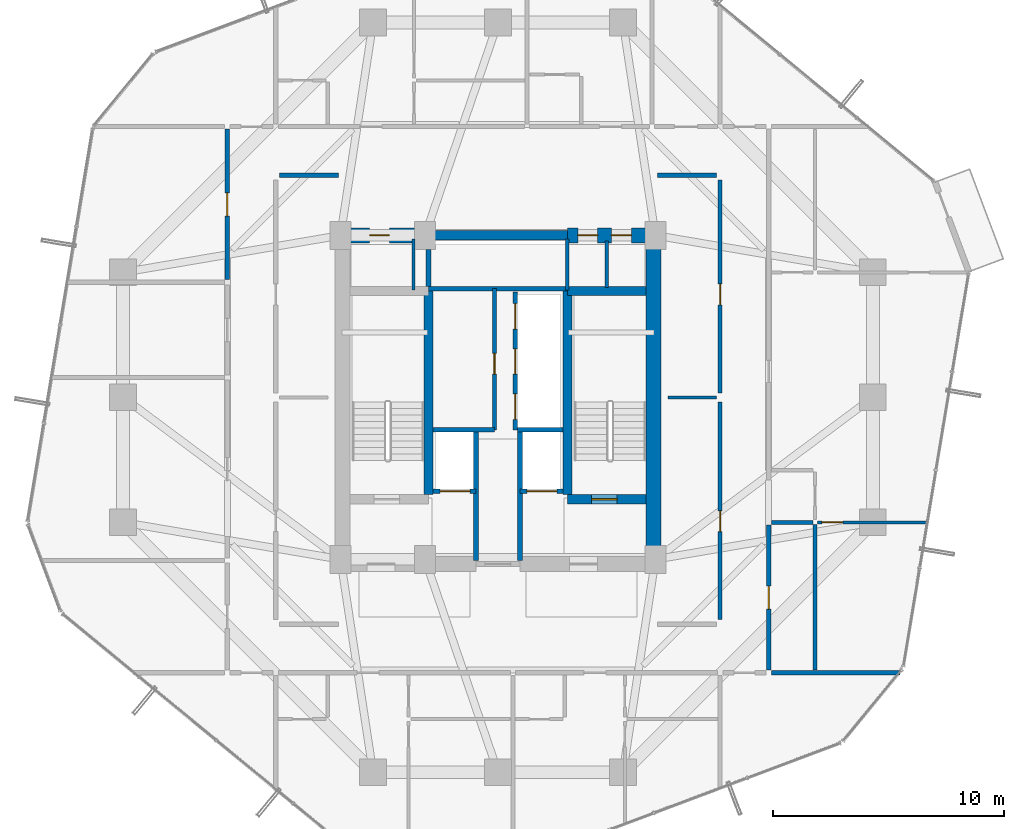
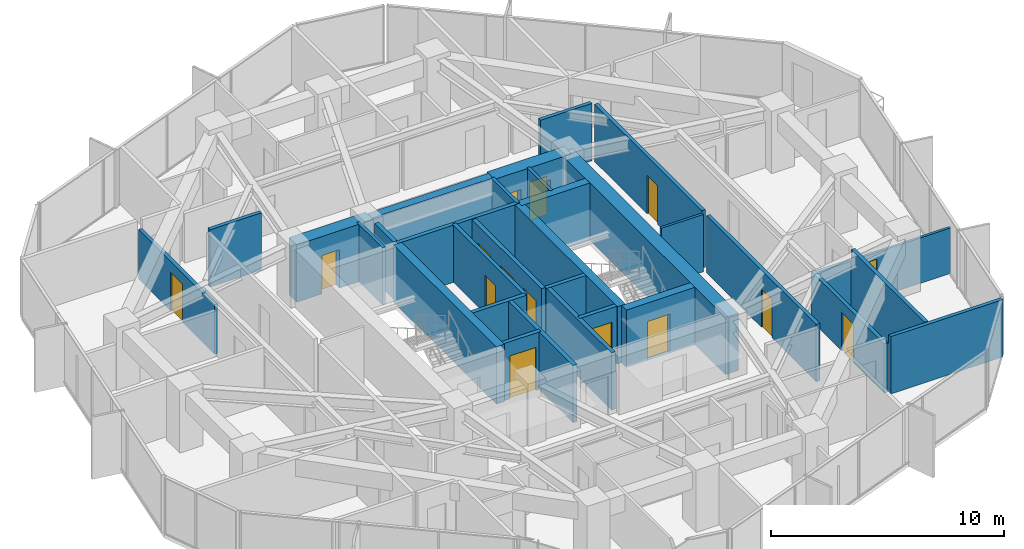
# One storey, part 26 of 30: 32 walls, 15 doors, 15 openings.
"""IFC4 building model written with IfcOpenShell, lengths in metres."""

from ifc_helpers import new_model, si_unit, direction, frame, frame_2d, origin, place, context, subcontext, project, spatial, rectangle, extrude, source, transform, mapped, material, layer, layer_set, type_object, element, fill, save


model = new_model("IFC4")

# Units and contexts
model_context = context("Model", 3, precision=1e-05, world=origin(), true_north=direction((0.0, 1.0)))
body_context = subcontext(model_context, "Body", "Model", "MODEL_VIEW")
ifc_project = project(units=[si_unit("LENGTHUNIT", "METRE"), si_unit("AREAUNIT", "SQUARE_METRE"), si_unit("VOLUMEUNIT", "CUBIC_METRE"), si_unit("PLANEANGLEUNIT", "RADIAN"), si_unit("MASSUNIT", "GRAM", prefix="KILO")], contexts=[model_context])

# Site, building, storey
site_placement = place(None, origin())
site = spatial("IfcSite", under=ifc_project, at=site_placement, CompositionType="ELEMENT")
building_placement = place(site_placement, origin())
building = spatial("IfcBuilding", under=site, at=building_placement, Name="Veraguas Prism Commons", CompositionType="ELEMENT")
storey_placement = place(building_placement, frame((0.0, 0.0, 95.949951171875)))
storey = spatial("IfcBuildingStorey", under=building, at=storey_placement, Name="L26", CompositionType="ELEMENT", Elevation=95.949951171875)

# Wall
ifc_material_1 = material(Name="Concrete C50/60", Category="concrete")
ifc_layer_1 = layer(ifc_material_1, 0.39990234375, Name="Clinic and Mid Core Shear Wall RC 400", Category="concrete")
ifc_layer_set_1 = layer_set([ifc_layer_1], Name="Concrete C50/60")
wall_type_1 = type_object("IfcWallType", Name="Clinic and Mid Core Shear Wall RC 400", PredefinedType="SHEAR", material=ifc_layer_set_1)
wall_1_placement = place(storey_placement, frame((21.0, 31.0, 0.0), z_axis=(0.0, 0.0, 1.0), x_axis=(1.0, 0.0, 0.0)))
element("IfcWall", 1, at=wall_1_placement, inside=storey, type_object=wall_type_1, Name="High-Rise Lift Bank Front Shear Wall L26", PredefinedType="SHEAR", context=body_context, shape_type="SweptSolid", body=[
    extrude(rectangle(XDim=6.0, YDim=0.39990234375, at=frame_2d((3.0, 0.0))), origin(), (0.0, 0.0, 1.0), 3.0),
])

# Wall, opening, door
wall_2_placement = place(storey_placement, frame((27.0, 19.60009765625, 0.0), z_axis=(0.0, 0.0, 1.0), x_axis=(1.0, 0.0, 0.0)))
wall_2 = element("IfcWall", 2, at=wall_2_placement, inside=storey, type_object=wall_type_1, Name="Stair ST-02 South Shear Wall L26", PredefinedType="SHEAR", context=body_context, shape_type="SweptSolid", body=[
    extrude(rectangle(XDim=3.39990234375, YDim=0.39990234375, at=frame_2d((1.699951171875, 0.0))), origin(), (0.0, 0.0, 1.0), 3.0),
])
opening_1_placement = place(wall_2_placement, frame((1.050048828125, 0.0, 0.0)))
opening_1 = element("IfcOpeningElement", 3, at=opening_1_placement, cuts=wall_2, Name="Opening DR-05", PredefinedType="OPENING", context=body_context, shape_type="SweptSolid", body=[
    extrude(rectangle(XDim=1.10009765625, YDim=2.030029296875, at=frame_2d((0.550048828125, 1.01513671875))), frame((0.0, 0.2099609375, 0.0), z_axis=(0.0, -1.0, 0.0), x_axis=(1.0, 0.0, 0.0)), (0.0, 0.0, 1.0), 0.419921875),
])
ifc_material_2 = material(Name="Steel fire-rated door assembly", Category="steel")
door_type_1 = type_object("IfcDoorType", Name="Protected Stair and Refuge Fire Door 1100x2030", OperationType="NOTDEFINED", PredefinedType="DOOR", material=ifc_material_2)
shared_shape_1 = source(origin(), body_context, "Body", "SweptSolid", [
    extrude(rectangle(XDim=1.10009765625, YDim=2.030029296875, at=frame_2d((0.550048828125, 1.01513671875))), frame((0.0, 0.02490234375, 0.0), z_axis=(0.0, -1.0, 0.0), x_axis=(1.0, 0.0, 0.0)), (0.0, 0.0, 1.0), 0.050048828125),
])
door_1_placement = place(opening_1_placement, origin())
door_1 = element("IfcDoor", 4, at=door_1_placement, inside=storey, type_object=door_type_1, Name="Stair ST-02 Enclosure Door L26", OperationType="SINGLE_SWING_RIGHT", OverallHeight=2.030029296875, OverallWidth=1.10009765625, PredefinedType="DOOR", context=body_context, shape_type="MappedRepresentation", body=[
    mapped(shared_shape_1, transform((0.0, 0.0, 0.0), scale=1.0)),
])
fill(opening_1, door_1)

# Walls
for number, where, z_axis, x_axis, name in (
    (5, (21.0, 19.800048828125, 0.0), (0.0, 0.0, 1.0), (0.0, 1.0, 0.0), "Stair ST-01 Inner Shear Wall L26"),
    (6, (27.0, 19.800048828125, 0.0), (0.0, 0.0, 1.0), (0.0, 1.0, 0.0), "Stair ST-02 Inner Shear Wall L26"),
):
    element("IfcWall", number, at=place(storey_placement, frame(where, z_axis=z_axis, x_axis=x_axis)), inside=storey, type_object=wall_type_1, Name=name, PredefinedType="SHEAR", context=body_context, shape_type="SweptSolid", body=[
        extrude(rectangle(XDim=8.800048828125, YDim=0.39990234375, at=frame_2d((4.39990234375, 0.0))), origin(), (0.0, 0.0, 1.0), 3.0),
    ])
wall_3_placement = place(storey_placement, frame((27.0, 28.60009765625, 0.0), z_axis=(0.0, 0.0, 1.0), x_axis=(1.0, 0.0, 0.0)))
element("IfcWall", 7, at=wall_3_placement, inside=storey, type_object=wall_type_1, Name="Stair ST-02 North Shear Wall L26", PredefinedType="SHEAR", context=body_context, shape_type="SweptSolid", body=[
    extrude(rectangle(XDim=3.39990234375, YDim=0.39990234375, at=frame_2d((1.699951171875, 0.0))), origin(), (0.0, 0.0, 1.0), 3.0),
])
ifc_material_3 = material(Name="Concrete C55/67", Category="concrete")
ifc_layer_2 = layer(ifc_material_3, 0.64990234375, Name="Core Outer Shear Wall Mid RC 650", Category="concrete")
ifc_layer_set_2 = layer_set([ifc_layer_2], Name="Concrete C55/67")
wall_type_2 = type_object("IfcWallType", Name="Core Outer Shear Wall Mid RC 650", PredefinedType="SHEAR", material=ifc_layer_set_2)
wall_4_placement = place(storey_placement, frame((30.72509765625, 16.800048828125, 0.0), z_axis=(0.0, 0.0, 1.0), x_axis=(0.0, 1.0, 0.0)))
element("IfcWall", 8, at=wall_4_placement, inside=storey, type_object=wall_type_2, Name="Central Core East Shear Wall L26", PredefinedType="SHEAR", context=body_context, shape_type="SweptSolid", body=[
    extrude(rectangle(XDim=14.199951171875, YDim=0.64990234375, at=frame_2d((7.10009765625, 0.0))), origin(), (0.0, 0.0, 1.0), 3.0),
])

# Wall, opening, door
wall_5_placement = place(storey_placement, frame((17.199951171875, 31.0, 0.0), z_axis=(0.0, 0.0, 1.0), x_axis=(1.0, 0.0, 0.0)))
wall_5 = element("IfcWall", 9, at=wall_5_placement, inside=storey, type_object=wall_type_2, Name="Central Core North-West Shear Wall L26", PredefinedType="SHEAR", context=body_context, shape_type="SweptSolid", body=[
    extrude(rectangle(XDim=3.800048828125, YDim=0.64990234375, at=frame_2d((1.89990234375, 0.0))), origin(), (0.0, 0.0, 1.0), 3.0),
])
opening_2_placement = place(wall_5_placement, frame((1.25, 0.0, 0.0)))
opening_2 = element("IfcOpeningElement", 10, at=opening_2_placement, cuts=wall_5, Name="Opening DR-12", PredefinedType="OPENING", context=body_context, shape_type="SweptSolid", body=[
    extrude(rectangle(XDim=0.860107421875, YDim=2.010009765625, at=frame_2d((0.43017578125, 1.0048828125))), frame((0.0, 0.3349609375, 0.0), z_axis=(0.0, -1.0, 0.0), x_axis=(1.0, 0.0, 0.0)), (0.0, 0.0, 1.0), 0.669921875),
])
door_type_2 = type_object("IfcDoorType", Name="Core WC Fire Door 860x2010", OperationType="NOTDEFINED", PredefinedType="DOOR", material=ifc_material_2)
shared_shape_2 = source(origin(), body_context, "Body", "SweptSolid", [
    extrude(rectangle(XDim=0.860107421875, YDim=2.010009765625, at=frame_2d((0.43017578125, 1.0048828125))), frame((0.0, 0.02490234375, 0.0), z_axis=(0.0, -1.0, 0.0), x_axis=(1.0, 0.0, 0.0)), (0.0, 0.0, 1.0), 0.050048828125),
])
door_2_placement = place(opening_2_placement, origin())
door_2 = element("IfcDoor", 11, at=door_2_placement, inside=storey, type_object=door_type_2, Name="Core NW Service Door L26", OperationType="SINGLE_SWING_RIGHT", OverallHeight=2.010009765625, OverallWidth=0.860107421875, PredefinedType="DOOR", context=body_context, shape_type="MappedRepresentation", body=[
    mapped(shared_shape_2, transform((0.0, 0.0, 0.0), scale=1.0)),
])
fill(opening_2, door_2)

# Wall, openings, doors
wall_6_placement = place(storey_placement, frame((27.0, 31.0, 0.0), z_axis=(0.0, 0.0, 1.0), x_axis=(1.0, 0.0, 0.0)))
wall_6 = element("IfcWall", 12, at=wall_6_placement, inside=storey, type_object=wall_type_2, Name="Central Core North-East Shear Wall L26", PredefinedType="SHEAR", context=body_context, shape_type="SweptSolid", body=[
    extrude(rectangle(XDim=3.800048828125, YDim=0.64990234375, at=frame_2d((1.89990234375, 0.0))), origin(), (0.0, 0.0, 1.0), 3.0),
])
opening_3_placement = place(wall_6_placement, frame((0.449951171875, 0.0, 0.0)))
opening_3 = element("IfcOpeningElement", 13, at=opening_3_placement, cuts=wall_6, Name="Opening DR-12", PredefinedType="OPENING", context=body_context, shape_type="SweptSolid", body=[
    extrude(rectangle(XDim=0.860107421875, YDim=2.010009765625, at=frame_2d((0.43017578125, 1.0048828125))), frame((0.0, 0.3349609375, 0.0), z_axis=(0.0, -1.0, 0.0), x_axis=(1.0, 0.0, 0.0)), (0.0, 0.0, 1.0), 0.669921875),
])
opening_4_placement = place(wall_6_placement, frame((1.89990234375, 0.0, 0.0)))
opening_4 = element("IfcOpeningElement", 14, at=opening_4_placement, cuts=wall_6, Name="Opening DR-12", PredefinedType="OPENING", context=body_context, shape_type="SweptSolid", body=[
    extrude(rectangle(XDim=0.860107421875, YDim=2.010009765625, at=frame_2d((0.43017578125, 1.0048828125))), frame((0.0, 0.3349609375, 0.0), z_axis=(0.0, -1.0, 0.0), x_axis=(1.0, 0.0, 0.0)), (0.0, 0.0, 1.0), 0.669921875),
])
door_3_placement = place(opening_3_placement, origin())
door_3 = element("IfcDoor", 15, at=door_3_placement, inside=storey, type_object=door_type_2, Name="Core NE Room A Door L26", OperationType="SINGLE_SWING_LEFT", OverallHeight=2.010009765625, OverallWidth=0.860107421875, PredefinedType="DOOR", context=body_context, shape_type="MappedRepresentation", body=[
    mapped(shared_shape_2, transform((0.0, 0.0, 0.0), scale=1.0)),
])
fill(opening_3, door_3)
door_4_placement = place(opening_4_placement, origin())
door_4 = element("IfcDoor", 16, at=door_4_placement, inside=storey, type_object=door_type_2, Name="Core NE Room B Door L26", OperationType="SINGLE_SWING_RIGHT", OverallHeight=2.010009765625, OverallWidth=0.860107421875, PredefinedType="DOOR", context=body_context, shape_type="MappedRepresentation", body=[
    mapped(shared_shape_2, transform((0.0, 0.0, 0.0), scale=1.0)),
])
fill(opening_4, door_4)

# Wall, opening, door
ifc_material_4 = material(Name="Autoclaved aerated masonry block 10 MPa", Category="masonry")
ifc_layer_3 = layer(ifc_material_4, 0.179931640625, Name="Corridor and Inter-Tenancy Partition 180", Category="masonry")
ifc_layer_set_3 = layer_set([ifc_layer_3], Name="Autoclaved aerated masonry block 10 MPa")
wall_type_3 = type_object("IfcWallType", Name="Corridor and Inter-Tenancy Partition 180", PredefinedType="PARTITIONING", material=ifc_layer_set_3)
wall_7_placement = place(storey_placement, frame((23.85009765625, 22.60009765625, 0.0), z_axis=(0.0, 0.0, 1.0), x_axis=(0.0, 1.0, 0.0)))
wall_7 = element("IfcWall", 17, at=wall_7_placement, inside=storey, type_object=wall_type_3, Name="Reading Room Partition L26", PredefinedType="PARTITIONING", context=body_context, shape_type="SweptSolid", body=[
    extrude(rectangle(XDim=6.099853515625, YDim=0.179931640625, at=frame_2d((3.0498046875, 0.0))), origin(), (0.0, 0.0, 1.0), 3.0),
])
opening_5_placement = place(wall_7_placement, frame((2.39990234375, 0.0, 0.0)))
opening_5 = element("IfcOpeningElement", 18, at=opening_5_placement, cuts=wall_7, Name="Opening DR-14", PredefinedType="OPENING", context=body_context, shape_type="SweptSolid", body=[
    extrude(rectangle(XDim=0.89990234375, YDim=2.010009765625, at=frame_2d((0.449951171875, 1.0048828125))), frame((0.0, 0.099853515625, 0.0), z_axis=(0.0, -1.0, 0.0), x_axis=(1.0, 0.0, 0.0)), (0.0, 0.0, 1.0), 0.199951171875),
])
door_type_3 = type_object("IfcDoorType", Name="Core Service Room Fire Door 900x2010", OperationType="NOTDEFINED", PredefinedType="DOOR", material=ifc_material_2)
shared_shape_3 = source(origin(), body_context, "Body", "SweptSolid", [
    extrude(rectangle(XDim=0.89990234375, YDim=2.010009765625, at=frame_2d((0.449951171875, 1.0048828125))), frame((0.0, 0.02490234375, 0.0), z_axis=(0.0, -1.0, 0.0), x_axis=(1.0, 0.0, 0.0)), (0.0, 0.0, 1.0), 0.050048828125),
])
door_5_placement = place(opening_5_placement, origin())
door_5 = element("IfcDoor", 19, at=door_5_placement, inside=storey, type_object=door_type_3, Name="Reading Room Door L26", OperationType="SINGLE_SWING_LEFT", OverallHeight=2.010009765625, OverallWidth=0.89990234375, PredefinedType="DOOR", context=body_context, shape_type="MappedRepresentation", body=[
    mapped(shared_shape_3, transform((0.0, 0.0, 0.0), scale=1.0)),
])
fill(opening_5, door_5)

wall_8_placement = place(storey_placement, frame((33.60009765625, 14.39990234375, 0.0), z_axis=(0.0, 0.0, 1.0), x_axis=(0.0, 1.0, 0.0)))
wall_8 = element("IfcWall", 20, at=wall_8_placement, inside=storey, type_object=wall_type_3, Name="WL-L26-IRE1", PredefinedType="PARTITIONING", context=body_context, shape_type="SweptSolid", body=[
    extrude(rectangle(XDim=9.400146484375, YDim=0.179931640625, at=frame_2d((4.7001953125, 0.0))), origin(), (0.0, 0.0, 1.0), 3.0),
])
opening_6_placement = place(wall_8_placement, frame((3.800048828125, 0.0, 0.0)))
opening_6 = element("IfcOpeningElement", 21, at=opening_6_placement, cuts=wall_8, Name="Opening DR-14", PredefinedType="OPENING", context=body_context, shape_type="SweptSolid", body=[
    extrude(rectangle(XDim=0.89990234375, YDim=2.010009765625, at=frame_2d((0.449951171875, 1.0048828125))), frame((0.0, 0.099853515625, 0.0), z_axis=(0.0, -1.0, 0.0), x_axis=(1.0, 0.0, 0.0)), (0.0, 0.0, 1.0), 0.199951171875),
])
door_6_placement = place(opening_6_placement, origin())
door_6 = element("IfcDoor", 22, at=door_6_placement, inside=storey, type_object=door_type_3, Name="Shared Laundry Annex Door L26", OperationType="SINGLE_SWING_RIGHT", OverallHeight=2.010009765625, OverallWidth=0.89990234375, PredefinedType="DOOR", context=body_context, shape_type="MappedRepresentation", body=[
    mapped(shared_shape_3, transform((0.0, 0.0, 0.0), scale=1.0)),
])
fill(opening_6, door_6)

wall_9_placement = place(storey_placement, frame((33.60009765625, 24.199951171875, 0.0), z_axis=(0.0, 0.0, 1.0), x_axis=(0.0, 1.0, 0.0)))
wall_9 = element("IfcWall", 23, at=wall_9_placement, inside=storey, type_object=wall_type_3, Name="WL-L26-IRE2", PredefinedType="PARTITIONING", context=body_context, shape_type="SweptSolid", body=[
    extrude(rectangle(XDim=9.199951171875, YDim=0.179931640625, at=frame_2d((4.60009765625, 0.0))), origin(), (0.0, 0.0, 1.0), 3.0),
])
opening_7_placement = place(wall_9_placement, frame((3.800048828125, 0.0, 0.0)))
opening_7 = element("IfcOpeningElement", 24, at=opening_7_placement, cuts=wall_9, Name="Opening DR-14", PredefinedType="OPENING", context=body_context, shape_type="SweptSolid", body=[
    extrude(rectangle(XDim=0.89990234375, YDim=2.010009765625, at=frame_2d((0.449951171875, 1.0048828125))), frame((0.0, 0.099853515625, 0.0), z_axis=(0.0, -1.0, 0.0), x_axis=(1.0, 0.0, 0.0)), (0.0, 0.0, 1.0), 0.199951171875),
])
door_7_placement = place(opening_7_placement, origin())
door_7 = element("IfcDoor", 25, at=door_7_placement, inside=storey, type_object=door_type_3, Name="Community Reading Alcove Door L26", OperationType="SINGLE_SWING_LEFT", OverallHeight=2.010009765625, OverallWidth=0.89990234375, PredefinedType="DOOR", context=body_context, shape_type="MappedRepresentation", body=[
    mapped(shared_shape_3, transform((0.0, 0.0, 0.0), scale=1.0)),
])
fill(opening_7, door_7)

# Walls
for number, where, z_axis, x_axis, name in (
    (26, (14.550048828125, 33.60009765625, 0.0), (0.0, 0.0, 1.0), (1.0, 0.0, 0.0), "WL-L26-IRWN"),
    (27, (30.89990234375, 33.60009765625, 0.0), (0.0, 0.0, 1.0), (1.0, 0.0, 0.0), "WL-L26-IREN"),
):
    element("IfcWall", number, at=place(storey_placement, frame(where, z_axis=z_axis, x_axis=x_axis)), inside=storey, type_object=wall_type_3, Name=name, PredefinedType="PARTITIONING", context=body_context, shape_type="SweptSolid", body=[
        extrude(rectangle(XDim=2.550048828125, YDim=0.179931640625, at=frame_2d((1.27490234375, 0.0))), origin(), (0.0, 0.0, 1.0), 3.0),
    ])

# Wall, opening, door
wall_10_placement = place(storey_placement, frame((12.300048828125, 29.083984375, 0.0), z_axis=(0.0, 0.0, 1.0), x_axis=(0.0, 1.0, 0.0)))
wall_10 = element("IfcWall", 28, at=wall_10_placement, inside=storey, type_object=wall_type_3, Name="WL-L26-PT037", PredefinedType="PARTITIONING", context=body_context, shape_type="SweptSolid", body=[
    extrude(rectangle(XDim=6.506103515625, YDim=0.179931640625, at=frame_2d((3.2529296875, 0.0))), origin(), (0.0, 0.0, 1.0), 2.580078125),
])
opening_8_placement = place(wall_10_placement, frame((2.7529296875, 0.0, 0.0)))
opening_8 = element("IfcOpeningElement", 29, at=opening_8_placement, cuts=wall_10, Name="Opening DR-13", PredefinedType="OPENING", context=body_context, shape_type="SweptSolid", body=[
    extrude(rectangle(XDim=1.0, YDim=2.010009765625, at=frame_2d((0.5, 1.0048828125))), frame((0.0, 0.099853515625, 0.0), z_axis=(0.0, -1.0, 0.0), x_axis=(1.0, 0.0, 0.0)), (0.0, 0.0, 1.0), 0.199951171875),
])
door_type_4 = type_object("IfcDoorType", Name="Core Accessible WC and Clinic Fire Door 1000x2010", OperationType="NOTDEFINED", PredefinedType="DOOR", material=ifc_material_2)
shared_shape_4 = source(origin(), body_context, "Body", "SweptSolid", [
    extrude(rectangle(XDim=1.0, YDim=2.010009765625, at=frame_2d((0.5, 1.0048828125))), frame((0.0, 0.02490234375, 0.0), z_axis=(0.0, -1.0, 0.0), x_axis=(1.0, 0.0, 0.0)), (0.0, 0.0, 1.0), 0.050048828125),
])
door_8_placement = place(opening_8_placement, origin())
door_8 = element("IfcDoor", 30, at=door_8_placement, inside=storey, type_object=door_type_4, Name="Co-op Store W Door", OperationType="SINGLE_SWING_RIGHT", OverallHeight=2.010009765625, OverallWidth=1.0, PredefinedType="DOOR", context=body_context, shape_type="MappedRepresentation", body=[
    mapped(shared_shape_4, transform((0.0, 0.0, 0.0), scale=1.0)),
])
fill(opening_8, door_8)

# Wall
wall_11_placement = place(storey_placement, frame((35.820068359375, 12.10009765625, 0.0), z_axis=(0.0, 0.0, 1.0), x_axis=(1.0, 0.0, 0.0)))
element("IfcWall", 31, at=wall_11_placement, inside=storey, type_object=wall_type_3, Name="WL-L26-PT039", PredefinedType="PARTITIONING", context=body_context, shape_type="SweptSolid", body=[
    extrude(rectangle(XDim=5.557861328125, YDim=0.179931640625, at=frame_2d((2.77880859375, 0.0))), origin(), (0.0, 0.0, 1.0), 3.0),
])

# Wall, opening, door
wall_12_placement = place(storey_placement, frame((35.699951171875, 12.2099609375, 0.0), z_axis=(0.0, 0.0, 1.0), x_axis=(0.0, 1.0, 0.0)))
wall_12 = element("IfcWall", 32, at=wall_12_placement, inside=storey, type_object=wall_type_3, Name="WL-L26-PT041", PredefinedType="PARTITIONING", context=body_context, shape_type="SweptSolid", body=[
    extrude(rectangle(XDim=6.280029296875, YDim=0.179931640625, at=frame_2d((3.14013671875, 0.0))), origin(), (0.0, 0.0, 1.0), 2.580078125),
])
opening_9_placement = place(wall_12_placement, frame((2.639892578125, 0.0, 0.0)))
opening_9 = element("IfcOpeningElement", 33, at=opening_9_placement, cuts=wall_12, Name="Opening DR-13", PredefinedType="OPENING", context=body_context, shape_type="SweptSolid", body=[
    extrude(rectangle(XDim=1.0, YDim=2.010009765625, at=frame_2d((0.5, 1.0048828125))), frame((0.0, 0.099853515625, 0.0), z_axis=(0.0, -1.0, 0.0), x_axis=(1.0, 0.0, 0.0)), (0.0, 0.0, 1.0), 0.199951171875),
])
door_9_placement = place(opening_9_placement, origin())
door_9 = element("IfcDoor", 34, at=door_9_placement, inside=storey, type_object=door_type_4, Name="Residents Study Alcove 26E Door", OperationType="SINGLE_SWING_LEFT", OverallHeight=2.010009765625, OverallWidth=1.0, PredefinedType="DOOR", context=body_context, shape_type="MappedRepresentation", body=[
    mapped(shared_shape_4, transform((0.0, 0.0, 0.0), scale=1.0)),
])
fill(opening_9, door_9)

# Walls
wall_13_placement = place(storey_placement, frame((37.699951171875, 12.219970703125, 0.0), z_axis=(0.0, 0.0, 1.0), x_axis=(0.0, 1.0, 0.0)))
element("IfcWall", 35, at=wall_13_placement, inside=storey, type_object=wall_type_3, Name="WL-L26-PT043", PredefinedType="PARTITIONING", context=body_context, shape_type="SweptSolid", body=[
    extrude(rectangle(XDim=6.280029296875, YDim=0.179931640625, at=frame_2d((3.14013671875, 0.0))), origin(), (0.0, 0.0, 1.0), 3.0),
])
wall_14_placement = place(storey_placement, frame((35.820068359375, 18.60009765625, 0.0), z_axis=(0.0, 0.0, 1.0), x_axis=(1.0, 0.0, 0.0)))
element("IfcWall", 36, at=wall_14_placement, inside=storey, type_object=wall_type_3, Name="WL-L26-PT044", PredefinedType="PARTITIONING", context=body_context, shape_type="SweptSolid", body=[
    extrude(rectangle(XDim=1.800048828125, YDim=0.179931640625, at=frame_2d((0.89990234375, 0.0))), origin(), (0.0, 0.0, 1.0), 2.3779296875),
])
ifc_material_5 = material(Name="Lightweight acoustic gypsum board")
ifc_layer_4 = layer(ifc_material_5, 0.125, Name="Internal Apartment Room Partition 125")
ifc_layer_set_4 = layer_set([ifc_layer_4], Name="Lightweight acoustic gypsum board")
wall_type_4 = type_object("IfcWallType", Name="Internal Apartment Room Partition 125", PredefinedType="PARTITIONING", material=ifc_layer_set_4)
wall_15_placement = place(storey_placement, frame((31.35009765625, 24.0, 0.0), z_axis=(0.0, 0.0, 1.0), x_axis=(1.0, 0.0, 0.0)))
element("IfcWall", 37, at=wall_15_placement, inside=storey, type_object=wall_type_4, Name="WL-L26-IREM", PredefinedType="PARTITIONING", context=body_context, shape_type="SweptSolid", body=[
    extrude(rectangle(XDim=2.099853515625, YDim=0.125, at=frame_2d((1.0498046875, 0.0))), origin(), (0.0, 0.0, 1.0), 3.0),
])

# Wall, opening, door
wall_16_placement = place(storey_placement, frame((37.800048828125, 18.60009765625, 0.0), z_axis=(0.0, 0.0, 1.0), x_axis=(1.0, 0.0, 0.0)))
wall_16 = element("IfcWall", 38, at=wall_16_placement, inside=storey, type_object=wall_type_4, Name="WL-L26-PT045", PredefinedType="PARTITIONING", context=body_context, shape_type="SweptSolid", body=[
    extrude(rectangle(XDim=4.779052734375, YDim=0.125, at=frame_2d((2.3896484375, 0.0))), origin(), (0.0, 0.0, 1.0), 2.3779296875),
])
opening_10_placement = place(wall_16_placement, frame((0.199951171875, 0.0, 0.0)))
opening_10 = element("IfcOpeningElement", 39, at=opening_10_placement, cuts=wall_16, Name="Opening DR-02", PredefinedType="OPENING", context=body_context, shape_type="SweptSolid", body=[
    extrude(rectangle(XDim=0.89990234375, YDim=2.010009765625, at=frame_2d((0.449951171875, 1.0048828125))), frame((0.0, 0.072509765625, 0.0), z_axis=(0.0, -1.0, 0.0), x_axis=(1.0, 0.0, 0.0)), (0.0, 0.0, 1.0), 0.14501953125),
])
ifc_material_6 = material(Name="Timber solid core hardwood", Category="wood")
door_type_5 = type_object("IfcDoorType", Name="Internal Habitable Room Door 900x2010", OperationType="NOTDEFINED", PredefinedType="DOOR", material=ifc_material_6)
door_10_placement = place(opening_10_placement, origin())
door_10 = element("IfcDoor", 40, at=door_10_placement, inside=storey, type_object=door_type_5, Name="Flat 26E Bedroom 2 Door", OperationType="SINGLE_SWING_LEFT", OverallHeight=2.010009765625, OverallWidth=0.89990234375, PredefinedType="DOOR", context=body_context, shape_type="MappedRepresentation", body=[
    mapped(shared_shape_3, transform((0.0, 0.0, 0.0), scale=1.0)),
])
fill(opening_10, door_10)

ifc_layer_5 = layer(ifc_material_4, 0.199951171875, Name="Rated Shaft and Lobby Block Wall 200", Category="masonry")
ifc_layer_set_5 = layer_set([ifc_layer_5], Name="Autoclaved aerated masonry block 10 MPa")
wall_type_5 = type_object("IfcWallType", Name="Rated Shaft and Lobby Block Wall 200", PredefinedType="SOLIDWALL", material=ifc_layer_set_5)
wall_17_placement = place(storey_placement, frame((21.199951171875, 19.949951171875, 0.0), z_axis=(0.0, 0.0, 1.0), x_axis=(1.0, 0.0, 0.0)))
wall_17 = element("IfcWall", 41, at=wall_17_placement, inside=storey, type_object=wall_type_5, Name="Firefighting Lift FFL-1 Front Wall L26", PredefinedType="SOLIDWALL", context=body_context, shape_type="SweptSolid", body=[
    extrude(rectangle(XDim=1.85009765625, YDim=0.199951171875, at=frame_2d((0.925048828125, 0.0))), origin(), (0.0, 0.0, 1.0), 3.0),
])
opening_11_placement = place(wall_17_placement, frame((0.300048828125, 0.0, 0.0)))
opening_11 = element("IfcOpeningElement", 42, at=opening_11_placement, cuts=wall_17, Name="Opening LD-02", PredefinedType="OPENING", context=body_context, shape_type="SweptSolid", body=[
    extrude(rectangle(XDim=1.300048828125, YDim=2.25, at=frame_2d((0.64990234375, 1.125))), frame((0.0, 0.10986328125, 0.0), z_axis=(0.0, -1.0, 0.0), x_axis=(1.0, 0.0, 0.0)), (0.0, 0.0, 1.0), 0.219970703125),
])
ifc_material_7 = material(Name="Stainless steel AISI 316", Category="steel")
door_type_6 = type_object("IfcDoorType", Name="Firefighting Lift Sliding Landing Door 1300x2250", OperationType="NOTDEFINED", PredefinedType="DOOR", material=ifc_material_7)
shared_shape_5 = source(origin(), body_context, "Body", "SweptSolid", [
    extrude(rectangle(XDim=1.300048828125, YDim=2.25, at=frame_2d((0.64990234375, 1.125))), frame((0.0, 0.02490234375, 0.0), z_axis=(0.0, -1.0, 0.0), x_axis=(1.0, 0.0, 0.0)), (0.0, 0.0, 1.0), 0.050048828125),
])
door_11_placement = place(opening_11_placement, origin())
door_11 = element("IfcDoor", 43, at=door_11_placement, inside=storey, type_object=door_type_6, Name="Firefighting Lift FFL-1 Landing Door L26", OperationType="SLIDING_TO_LEFT", OverallHeight=2.25, OverallWidth=1.300048828125, PredefinedType="DOOR", context=body_context, shape_type="MappedRepresentation", body=[
    mapped(shared_shape_5, transform((0.0, 0.0, 0.0), scale=1.0)),
])
fill(opening_11, door_11)

wall_18_placement = place(storey_placement, frame((24.949951171875, 19.949951171875, 0.0), z_axis=(0.0, 0.0, 1.0), x_axis=(1.0, 0.0, 0.0)))
wall_18 = element("IfcWall", 44, at=wall_18_placement, inside=storey, type_object=wall_type_5, Name="Firefighting Lift FFL-2 Front Wall L26", PredefinedType="SOLIDWALL", context=body_context, shape_type="SweptSolid", body=[
    extrude(rectangle(XDim=1.85009765625, YDim=0.199951171875, at=frame_2d((0.925048828125, 0.0))), origin(), (0.0, 0.0, 1.0), 3.0),
])
opening_12_placement = place(wall_18_placement, frame((0.300048828125, 0.0, 0.0)))
opening_12 = element("IfcOpeningElement", 45, at=opening_12_placement, cuts=wall_18, Name="Opening LD-02", PredefinedType="OPENING", context=body_context, shape_type="SweptSolid", body=[
    extrude(rectangle(XDim=1.300048828125, YDim=2.25, at=frame_2d((0.64990234375, 1.125))), frame((0.0, 0.10986328125, 0.0), z_axis=(0.0, -1.0, 0.0), x_axis=(1.0, 0.0, 0.0)), (0.0, 0.0, 1.0), 0.219970703125),
])
door_12_placement = place(opening_12_placement, origin())
door_12 = element("IfcDoor", 46, at=door_12_placement, inside=storey, type_object=door_type_6, Name="Firefighting Lift FFL-2 Front Wall L26", OperationType="SLIDING_TO_LEFT", OverallHeight=2.25, OverallWidth=1.300048828125, PredefinedType="DOOR", context=body_context, shape_type="MappedRepresentation", body=[
    mapped(shared_shape_5, transform((0.0, 0.0, 0.0), scale=1.0)),
])
fill(opening_12, door_12)

# Walls
for number, where, z_axis, x_axis, name in (
    (47, (23.050048828125, 16.949951171875, 0.0), (0.0, 0.0, 1.0), (0.0, 1.0, 0.0), "West FF Lobby Divider Wall L26"),
    (48, (24.949951171875, 16.949951171875, 0.0), (0.0, 0.0, 1.0), (0.0, 1.0, 0.0), "East FF Lobby Divider Wall L26"),
):
    element("IfcWall", number, at=place(storey_placement, frame(where, z_axis=z_axis, x_axis=x_axis)), inside=storey, type_object=wall_type_5, Name=name, PredefinedType="SOLIDWALL", context=body_context, shape_type="SweptSolid", body=[
        extrude(rectangle(XDim=5.60009765625, YDim=0.199951171875, at=frame_2d((2.800048828125, 0.0))), origin(), (0.0, 0.0, 1.0), 3.0),
    ])
wall_19_placement = place(storey_placement, frame((21.199951171875, 22.60009765625, 0.0), z_axis=(0.0, 0.0, 1.0), x_axis=(1.0, 0.0, 0.0)))
element("IfcWall", 49, at=wall_19_placement, inside=storey, type_object=wall_type_5, Name="Firefighting Lift FFL-1 Rear Wall L26", PredefinedType="SOLIDWALL", context=body_context, shape_type="SweptSolid", body=[
    extrude(rectangle(XDim=2.650146484375, YDim=0.199951171875, at=frame_2d((1.3251953125, 0.0))), origin(), (0.0, 0.0, 1.0), 3.0),
])
wall_20_placement = place(storey_placement, frame((24.85009765625, 22.60009765625, 0.0), z_axis=(0.0, 0.0, 1.0), x_axis=(1.0, 0.0, 0.0)))
element("IfcWall", 50, at=wall_20_placement, inside=storey, type_object=wall_type_5, Name="Firefighting Lift FFL-2 Rear Wall L26", PredefinedType="SOLIDWALL", context=body_context, shape_type="SweptSolid", body=[
    extrude(rectangle(XDim=1.949951171875, YDim=0.199951171875, at=frame_2d((0.97509765625, 0.0))), origin(), (0.0, 0.0, 1.0), 3.0),
])
wall_21_placement = place(storey_placement, frame((21.0, 28.699951171875, 0.0), z_axis=(0.0, 0.0, 1.0), x_axis=(1.0, 0.0, 0.0)))
element("IfcWall", 51, at=wall_21_placement, inside=storey, type_object=wall_type_5, Name="High-Rise Lift Bank Rear Shaft Wall L26", PredefinedType="SOLIDWALL", context=body_context, shape_type="SweptSolid", body=[
    extrude(rectangle(XDim=6.0, YDim=0.199951171875, at=frame_2d((3.0, 0.0))), origin(), (0.0, 0.0, 1.0), 3.0),
])
wall_22_placement = place(storey_placement, frame((21.0, 28.800048828125, 0.0), z_axis=(0.0, 0.0, 1.0), x_axis=(0.0, 1.0, 0.0)))
element("IfcWall", 52, at=wall_22_placement, inside=storey, type_object=wall_type_5, Name="High-Rise Lift Bank West Shaft Wall L26", PredefinedType="SOLIDWALL", context=body_context, shape_type="SweptSolid", body=[
    extrude(rectangle(XDim=1.599853515625, YDim=0.199951171875, at=frame_2d((0.7998046875, 0.0))), origin(), (0.0, 0.0, 1.0), 3.0),
])

# Wall, openings, doors
wall_23_placement = place(storey_placement, frame((24.75, 22.60009765625, 0.0), z_axis=(0.0, 0.0, 1.0), x_axis=(0.0, 1.0, 0.0)))
wall_23 = element("IfcWall", 53, at=wall_23_placement, inside=storey, type_object=wall_type_5, Name="Mid-Rise Lift Bank Front Wall L26", PredefinedType="SOLIDWALL", context=body_context, shape_type="SweptSolid", body=[
    extrude(rectangle(XDim=5.949951171875, YDim=0.199951171875, at=frame_2d((2.97509765625, 0.0))), origin(), (0.0, 0.0, 1.0), 3.0),
])
opening_13_placement = place(wall_23_placement, frame((0.449951171875, 0.0, 0.0)))
opening_13 = element("IfcOpeningElement", 54, at=opening_13_placement, cuts=wall_23, Name="Opening LD-01", PredefinedType="OPENING", context=body_context, shape_type="SweptSolid", body=[
    extrude(rectangle(XDim=1.10009765625, YDim=2.080078125, at=frame_2d((0.550048828125, 1.0400390625))), frame((0.0, 0.10986328125, 0.0), z_axis=(0.0, -1.0, 0.0), x_axis=(1.0, 0.0, 0.0)), (0.0, 0.0, 1.0), 0.219970703125),
])
opening_14_placement = place(wall_23_placement, frame((2.39990234375, 0.0, 0.0)))
opening_14 = element("IfcOpeningElement", 55, at=opening_14_placement, cuts=wall_23, Name="Opening LD-01", PredefinedType="OPENING", context=body_context, shape_type="SweptSolid", body=[
    extrude(rectangle(XDim=1.10009765625, YDim=2.080078125, at=frame_2d((0.550048828125, 1.0400390625))), frame((0.0, 0.10986328125, 0.0), z_axis=(0.0, -1.0, 0.0), x_axis=(1.0, 0.0, 0.0)), (0.0, 0.0, 1.0), 0.219970703125),
])
opening_15_placement = place(wall_23_placement, frame((4.35009765625, 0.0, 0.0)))
opening_15 = element("IfcOpeningElement", 56, at=opening_15_placement, cuts=wall_23, Name="Opening LD-01", PredefinedType="OPENING", context=body_context, shape_type="SweptSolid", body=[
    extrude(rectangle(XDim=1.10009765625, YDim=2.080078125, at=frame_2d((0.550048828125, 1.0400390625))), frame((0.0, 0.10986328125, 0.0), z_axis=(0.0, -1.0, 0.0), x_axis=(1.0, 0.0, 0.0)), (0.0, 0.0, 1.0), 0.219970703125),
])
door_type_7 = type_object("IfcDoorType", Name="Passenger Lift Sliding Landing Door 1100x2080", OperationType="NOTDEFINED", PredefinedType="DOOR", material=ifc_material_7)
shared_shape_6 = source(origin(), body_context, "Body", "SweptSolid", [
    extrude(rectangle(XDim=1.10009765625, YDim=2.080078125, at=frame_2d((0.550048828125, 1.0400390625))), frame((0.0, 0.02490234375, 0.0), z_axis=(0.0, -1.0, 0.0), x_axis=(1.0, 0.0, 0.0)), (0.0, 0.0, 1.0), 0.050048828125),
])
door_13_placement = place(opening_13_placement, origin())
door_13 = element("IfcDoor", 57, at=door_13_placement, inside=storey, type_object=door_type_7, Name="Sliding Landing Door PL-M1 L26", OperationType="SLIDING_TO_LEFT", OverallHeight=2.080078125, OverallWidth=1.10009765625, PredefinedType="DOOR", context=body_context, shape_type="MappedRepresentation", body=[
    mapped(shared_shape_6, transform((0.0, 0.0, 0.0), scale=1.0)),
])
fill(opening_13, door_13)
door_14_placement = place(opening_14_placement, origin())
door_14 = element("IfcDoor", 58, at=door_14_placement, inside=storey, type_object=door_type_7, Name="Sliding Landing Door PL-M2 L26", OperationType="SLIDING_TO_LEFT", OverallHeight=2.080078125, OverallWidth=1.10009765625, PredefinedType="DOOR", context=body_context, shape_type="MappedRepresentation", body=[
    mapped(shared_shape_6, transform((0.0, 0.0, 0.0), scale=1.0)),
])
fill(opening_14, door_14)
door_15_placement = place(opening_15_placement, origin())
door_15 = element("IfcDoor", 59, at=door_15_placement, inside=storey, type_object=door_type_7, Name="Sliding Landing Door PL-M3 L26", OperationType="SLIDING_TO_LEFT", OverallHeight=2.080078125, OverallWidth=1.10009765625, PredefinedType="DOOR", context=body_context, shape_type="MappedRepresentation", body=[
    mapped(shared_shape_6, transform((0.0, 0.0, 0.0), scale=1.0)),
])
fill(opening_15, door_15)

# Walls
ifc_layer_6 = layer(ifc_material_5, 0.14990234375, Name="Wet Room and Clinic Acoustic Partition 150")
ifc_layer_set_6 = layer_set([ifc_layer_6], Name="Lightweight acoustic gypsum board")
wall_type_6 = type_object("IfcWallType", Name="Wet Room and Clinic Acoustic Partition 150", PredefinedType="PARTITIONING", material=ifc_layer_set_6)
for number, where, z_axis, x_axis, name in (
    (60, (20.35009765625, 28.64990234375, 0.0), (0.0, 0.0, 1.0), (0.0, 1.0, 0.0), "Core NW Service Inner Wall L26"),
    (61, (27.0, 28.64990234375, 0.0), (0.0, 0.0, 1.0), (0.0, 1.0, 0.0), "Core NE Service Inner Wall L26"),
):
    element("IfcWall", number, at=place(storey_placement, frame(where, z_axis=z_axis, x_axis=x_axis)), inside=storey, type_object=wall_type_6, Name=name, PredefinedType="PARTITIONING", context=body_context, shape_type="SweptSolid", body=[
        extrude(rectangle(XDim=2.2001953125, YDim=0.14990234375, at=frame_2d((1.10009765625, 0.0))), origin(), (0.0, 0.0, 1.0), 3.0),
    ])
wall_24_placement = place(storey_placement, frame((28.699951171875, 28.75, 0.0), z_axis=(0.0, 0.0, 1.0), x_axis=(0.0, 1.0, 0.0)))
element("IfcWall", 62, at=wall_24_placement, inside=storey, type_object=wall_type_6, Name="WL-L26-CSVD1", PredefinedType="PARTITIONING", context=body_context, shape_type="SweptSolid", body=[
    extrude(rectangle(XDim=2.0, YDim=0.14990234375, at=frame_2d((1.0, 0.0))), origin(), (0.0, 0.0, 1.0), 3.0),
])

save(model, "model.ifc")
